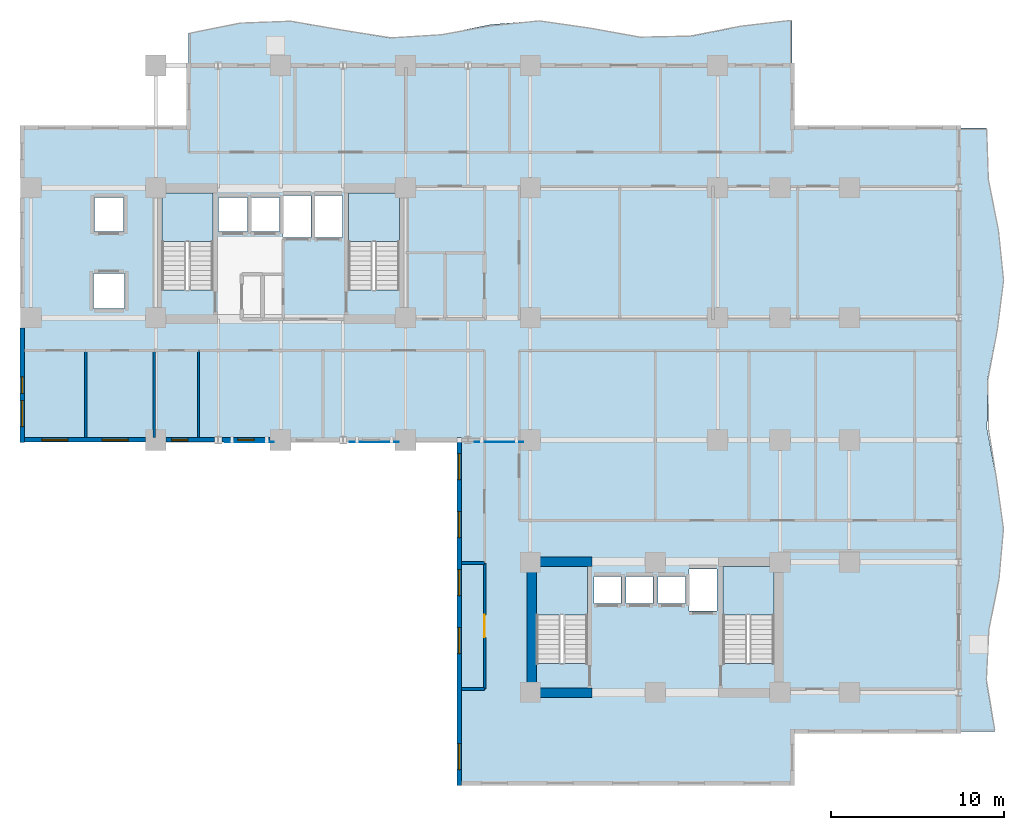
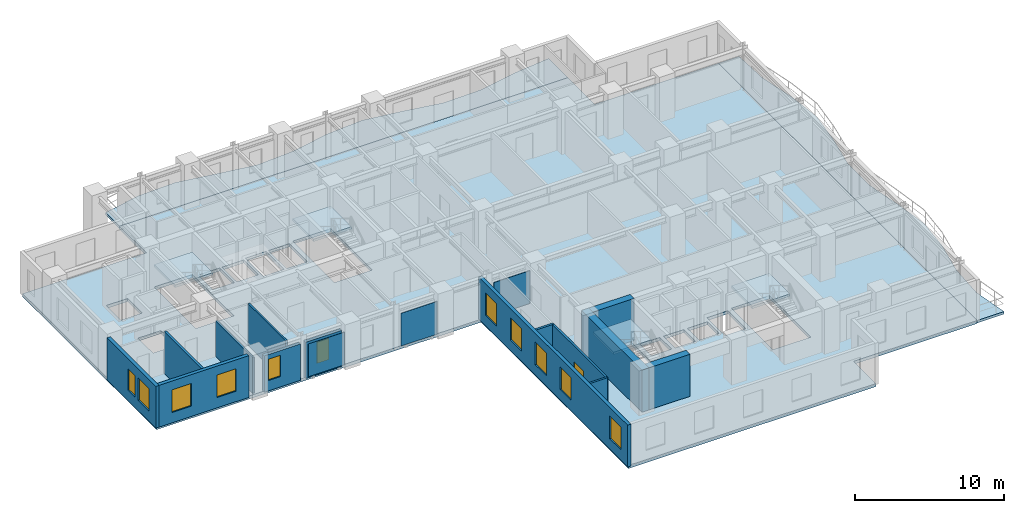
# One storey, part 2 of 11: 14 walls, 11 windows, 7 slabs, 3 plates, 1 door, 12 openings, 4 elements without a shape of their own.
"""IFC4 building model written with IfcOpenShell, lengths in metres."""

import ifcopenshell
import ifcopenshell.guid

model = None  # the IFC model being written
_history = None  # IfcOwnerHistory: only IFC2X3 demands one
_inside = {}  # id of a spatial element -> (the spatial element, [elements in it])
_under = {}  # id of a project, library or spatial element -> (it, [spatial elements below it])
_declared = {}  # id of a project -> (the project, [libraries it declares])
_typed = {}  # id of a type object -> (the type object, [elements of that type])
_made_of = {}  # id of a material, layer set ... -> (it, [elements and type objects made of it])


def new_model(schema):
    """Start an empty IFC model of exactly this schema.

    Asked for "IFC4X3", IfcOpenShell would pick the latest addendum, in which some entities
    have other attributes; the version numbers below select the first issue.
    IFC2X3 requires an IfcOwnerHistory on every rooted entity: one is made here for all.
    """
    global model, _history
    if schema == "IFC4X3":
        model = ifcopenshell.file(schema_version=(4, 3, 0, 0))
    else:
        model = ifcopenshell.file(schema=schema)
    _inside.clear()
    _under.clear()
    _declared.clear()
    _typed.clear()
    _made_of.clear()
    _history = None
    if model.schema == "IFC2X3":
        org = make("IfcOrganization", Name="unknown")
        user = make(
            "IfcPersonAndOrganization",
            ThePerson=make("IfcPerson", FamilyName="unknown"),
            TheOrganization=org,
        )
        app = make(
            "IfcApplication",
            ApplicationDeveloper=org,
            Version="unknown",
            ApplicationFullName="unknown",
            ApplicationIdentifier="unknown",
        )
        _history = make(
            "IfcOwnerHistory",
            OwningUser=user,
            OwningApplication=app,
            ChangeAction="ADDED",
            CreationDate=0,
        )
    return model


def make(cls, **values):
    """One entity of the class cls with the attributes given. An attribute that is None is left unset."""
    return model.create_entity(
        cls, **{name: value for name, value in values.items() if value is not None}
    )


def rooted(cls, **values):
    """An entity with a GlobalId (a new one), such as an element, a storey or a relation."""
    return make(cls, GlobalId=ifcopenshell.guid.new(), OwnerHistory=_history, **values)


def si_unit(unit_type, name, prefix=None):
    """IfcSIUnit, for example si_unit("LENGTHUNIT", "METRE", prefix="MILLI")."""
    return make("IfcSIUnit", UnitType=unit_type, Prefix=prefix, Name=name)


def assignment(units):
    """IfcUnitAssignment: the units of a project."""
    return None if units is None else make("IfcUnitAssignment", Units=units)


def point(xyz):
    """IfcCartesianPoint."""
    return None if xyz is None else make("IfcCartesianPoint", Coordinates=xyz)


def direction(xyz):
    """IfcDirection."""
    return None if xyz is None else make("IfcDirection", DirectionRatios=xyz)


def frame(location, z_axis=None, x_axis=None):
    """IfcAxis2Placement3D, a coordinate frame: its origin and axes. An axis left out is left unset."""
    return make(
        "IfcAxis2Placement3D",
        Location=point(location),
        Axis=direction(z_axis),
        RefDirection=direction(x_axis),
    )


def frame_2d(location, x_axis=None):
    """IfcAxis2Placement2D, a coordinate frame in the plane: its origin and x axis."""
    return make(
        "IfcAxis2Placement2D", Location=point(location), RefDirection=direction(x_axis)
    )


def origin():
    """The frame at (0, 0, 0) with its axes left unset."""
    return frame((0.0, 0.0, 0.0))


def origin_2d():
    """The frame at (0, 0) in the plane with its x axis left unset."""
    return frame_2d((0.0, 0.0))


def place(relative_to, where):
    """IfcLocalPlacement: puts the frame where relative to a parent placement (None: the world)."""
    return make(
        "IfcLocalPlacement", PlacementRelTo=relative_to, RelativePlacement=where
    )


def context(
    kind, dimensions, precision=None, world=None, true_north=None, identifier=None
):
    """IfcGeometricRepresentationContext, for example the 3D "Model" context."""
    return make(
        "IfcGeometricRepresentationContext",
        ContextIdentifier=identifier,
        ContextType=kind,
        CoordinateSpaceDimension=dimensions,
        Precision=precision,
        WorldCoordinateSystem=world,
        TrueNorth=true_north,
    )


def subcontext(parent, identifier, kind, view, scale=None):
    """IfcGeometricRepresentationSubContext, for example "Body" below "Model"."""
    return make(
        "IfcGeometricRepresentationSubContext",
        ContextIdentifier=identifier,
        ContextType=kind,
        ParentContext=parent,
        TargetScale=scale,
        TargetView=view,
    )


def project(units=None, contexts=None):
    """IfcProject with its units and contexts."""
    return rooted(
        "IfcProject",
        Name="project",
        RepresentationContexts=contexts,
        UnitsInContext=assignment(units),
    )


def spatial(cls, under=None, at=None, **own):
    """A site, building, storey or space (cls), placed at a placement, below another one or the project."""
    s = rooted(cls, ObjectPlacement=at, **own)
    if under is not None:
        _under.setdefault(under.id(), (under, []))[1].append(s)
    return s


def polyline(points):
    """IfcPolyline through the points."""
    return make("IfcPolyline", Points=[point(p) for p in points])


def profile(cls, at=None, kind="AREA", **sizes):
    """A parametric profile (cls). Its sizes go by their IFC names, for example OverallWidth=200.0."""
    return make(cls, ProfileType=kind, Position=at, **sizes)


def rectangle(**sizes):
    """IfcRectangleProfileDef."""
    return profile("IfcRectangleProfileDef", **sizes)


def outline(outer, holes=None, kind="AREA"):
    """IfcArbitraryClosedProfileDef: a profile drawn as a closed curve; with holes, ...WithVoids."""
    if holes is None:
        return make("IfcArbitraryClosedProfileDef", ProfileType=kind, OuterCurve=outer)
    return make(
        "IfcArbitraryProfileDefWithVoids",
        ProfileType=kind,
        OuterCurve=outer,
        InnerCurves=holes,
    )


def extrude(swept, where, along, depth):
    """IfcExtrudedAreaSolid: the profile swept, set in the frame where, extruded along a direction by depth."""
    return make(
        "IfcExtrudedAreaSolid",
        SweptArea=swept,
        Position=where,
        ExtrudedDirection=direction(along),
        Depth=depth,
    )


def shape(context_of_items, identifier, shape_type, items):
    """IfcShapeRepresentation: the items that make up one representation, for example the "Body"."""
    return make(
        "IfcShapeRepresentation",
        ContextOfItems=context_of_items,
        RepresentationIdentifier=identifier,
        RepresentationType=shape_type,
        Items=items,
    )


def source(mapping_origin, context_of_items, identifier, shape_type, items):
    """IfcRepresentationMap: a shape defined once, which mapped items show again and again."""
    return make(
        "IfcRepresentationMap",
        MappingOrigin=mapping_origin,
        MappedRepresentation=shape(context_of_items, identifier, shape_type, items),
    )


def transform(
    local_origin,
    x_axis=None,
    y_axis=None,
    z_axis=None,
    scale=None,
    scale2=None,
    scale3=None,
    uniform=True,
):
    """IfcCartesianTransformationOperator3D, or its non-uniform kind. x_axis, y_axis, z_axis: its Axis1, 2, 3."""
    if uniform:
        return make(
            "IfcCartesianTransformationOperator3D",
            Axis1=direction(x_axis),
            Axis2=direction(y_axis),
            LocalOrigin=point(local_origin),
            Scale=scale,
            Axis3=direction(z_axis),
        )
    return make(
        "IfcCartesianTransformationOperator3DnonUniform",
        Axis1=direction(x_axis),
        Axis2=direction(y_axis),
        LocalOrigin=point(local_origin),
        Scale=scale,
        Axis3=direction(z_axis),
        Scale2=scale2,
        Scale3=scale3,
    )


def mapped(mapping_source, mapping_target):
    """IfcMappedItem: shows the shape of a source again, moved by a transform."""
    return make(
        "IfcMappedItem", MappingSource=mapping_source, MappingTarget=mapping_target
    )


def material(Name=None, Category=None):
    """IfcMaterial."""
    return make("IfcMaterial", Name=Name, Category=Category)


def layer(
    of_material, thickness, ventilated=None, Name=None, Category=None, Priority=None
):
    """IfcMaterialLayer: one layer of a wall or slab, of a material (None: an air gap)."""
    return make(
        "IfcMaterialLayer",
        Material=of_material,
        LayerThickness=thickness,
        IsVentilated=ventilated,
        Name=Name,
        Category=Category,
        Priority=Priority,
    )


def layer_set(layers, Name=None):
    """IfcMaterialLayerSet."""
    return make("IfcMaterialLayerSet", MaterialLayers=layers, LayerSetName=Name)


def made_of(thing, what):
    """Note that an element or type object is made of a material, layer set ...; save() writes the relation."""
    if what is not None:
        _made_of.setdefault(what.id(), (what, []))[1].append(thing)
    return thing


def type_object(cls, material=None, **own):
    """A type object (cls), such as IfcWallType, which elements share."""
    return made_of(rooted(cls, **own), material)


def element(
    cls,
    number,
    at=None,
    inside=None,
    cuts=None,
    type_object=None,
    material=None,
    context=None,
    identifier="Body",
    shape_type=None,
    held_by="IfcProductDefinitionShape",
    body=None,
    shapes=None,
    **own,
):
    """One element of the class cls, such as IfcWall. Its Tag is "e" and its number.

    at: its placement. inside: the storey or other place that contains it. cuts: it is an
    opening in that element (IfcRelVoidsElement). A single representation is given by context,
    identifier, shape_type and body (its items); several are given by shapes. held_by: the class
    of the entity that holds the representations. save() writes the other relations.
    """
    e = rooted(cls, Tag="e%d" % number, ObjectPlacement=at, **own)
    if body is not None:
        shapes = [shape(context, identifier, shape_type, body)]
    if shapes is not None:
        e.Representation = make(held_by, Representations=shapes)
    if inside is not None:
        _inside.setdefault(inside.id(), (inside, []))[1].append(e)
    if cuts is not None:
        rooted(
            "IfcRelVoidsElement", RelatingBuildingElement=cuts, RelatedOpeningElement=e
        )
    if type_object is not None:
        _typed.setdefault(type_object.id(), (type_object, []))[1].append(e)
    return made_of(e, material)


def fill(opening, filler):
    """IfcRelFillsElement: the door or window that sits in an opening."""
    return rooted(
        "IfcRelFillsElement",
        RelatingOpeningElement=opening,
        RelatedBuildingElement=filler,
    )


def aggregate(whole, parts):
    """IfcRelAggregates: a whole, such as a stair, and the parts it consists of."""
    return rooted("IfcRelAggregates", RelatingObject=whole, RelatedObjects=parts)


def save(model, path):
    """Write the relations noted so far, then the file.

    IfcRelAggregates (storeys below a building ...), IfcRelContainedInSpatialStructure (elements
    in a storey), IfcRelDefinesByType, IfcRelAssociatesMaterial and IfcRelDeclares: one each for
    every whole, place, type object, material and project.
    """
    for whole, parts in _under.values():
        aggregate(whole, parts)
    for where, things in _inside.values():
        rooted(
            "IfcRelContainedInSpatialStructure",
            RelatedElements=things,
            RelatingStructure=where,
        )
    for kind, things in _typed.values():
        rooted("IfcRelDefinesByType", RelatedObjects=things, RelatingType=kind)
    for what, things in _made_of.values():
        rooted("IfcRelAssociatesMaterial", RelatedObjects=things, RelatingMaterial=what)
    for by, libraries in _declared.values():
        rooted("IfcRelDeclares", RelatingContext=by, RelatedDefinitions=libraries)
    model.write(path)


model = new_model("IFC4")

# Units and contexts
model_context = context("Model", 3, precision=1e-05, world=origin(), true_north=direction((0.0, 1.0)))
body_context = subcontext(model_context, "Body", "Model", "MODEL_VIEW")
ifc_project = project(units=[si_unit("LENGTHUNIT", "METRE"), si_unit("AREAUNIT", "SQUARE_METRE"), si_unit("VOLUMEUNIT", "CUBIC_METRE"), si_unit("PLANEANGLEUNIT", "RADIAN"), si_unit("MASSUNIT", "GRAM", prefix="KILO")], contexts=[model_context])

# Site, building, storey
site_placement = place(None, origin())
site = spatial("IfcSite", under=ifc_project, at=site_placement, CompositionType="ELEMENT")
building_placement = place(site_placement, origin())
building = spatial("IfcBuilding", under=site, at=building_placement, Name="Kaliganga Portal Commons", CompositionType="ELEMENT")
storey_placement = place(building_placement, frame((0.0, 0.0, 111.89990234375)))
storey = spatial("IfcBuildingStorey", under=building, at=storey_placement, Name="L28", CompositionType="ELEMENT", Elevation=111.89990234375)

# Slabs
ifc_material_1 = material(Name="Concrete C40/50", Category="concrete")
ifc_layer_1 = layer(ifc_material_1, 0.2099609375)
ifc_layer_set_1 = layer_set([ifc_layer_1], Name="Concrete C40/50")
slab_type_1 = type_object("IfcSlabType", Name="SLB-BALC-210", PredefinedType="FLOOR", material=ifc_layer_set_1)
slab_1_placement = place(storey_placement, frame((0.0, 0.0, -0.2099609375)))
element("IfcSlab", 1, at=slab_1_placement, inside=storey, type_object=slab_type_1, Name="Scalloped Tree-Planter Balcony Slab L28 balc_north", PredefinedType="FLOOR", context=body_context, shape_type="SweptSolid", body=[
    extrude(outline(polyline([(51.10009765625, 43.199951171875), (51.10009765625, 45.800048828125), (48.199951171875, 45.462890625), (45.300048828125, 44.890380859375), (42.39990234375, 44.82861328125), (39.5, 45.35791015625), (36.60009765625, 45.788818359375), (33.699951171875, 45.559814453125), (30.800048828125, 44.969482421875), (27.89990234375, 44.786865234375), (25.0, 45.249755859375), (22.10009765625, 45.755126953125), (19.199951171875, 45.64453125), (16.300048828125, 45.06201171875), (16.300048828125, 43.199951171875), (51.10009765625, 43.199951171875)])), origin(), (0.0, 0.0, 1.0), 0.2099609375),
])
slab_2_placement = place(storey_placement, frame((0.0, 0.0, -0.2099609375)))
element("IfcSlab", 2, at=slab_2_placement, inside=storey, type_object=slab_type_1, Name="Scalloped Tree-Planter Balcony Slab L28 balc_east", PredefinedType="FLOOR", context=body_context, shape_type="SweptSolid", body=[
    extrude(outline(polyline([(60.699951171875, 4.800048828125), (62.782470703125, 4.800048828125), (62.297119140625, 7.699951171875), (62.444091796875, 10.60009765625), (63.03173828125, 13.5), (63.29443359375, 16.39990234375), (62.889892578125, 19.300048828125), (62.34521484375, 22.199951171875), (62.3701171875, 25.10009765625), (62.931884765625, 28.0), (63.299072265625, 30.89990234375), (62.992919921875, 33.800048828125), (62.41259765625, 36.699951171875), (62.31396484375, 39.60009765625), (60.699951171875, 39.60009765625), (60.699951171875, 4.800048828125)])), origin(), (0.0, 0.0, 1.0), 0.2099609375),
])

# Stair, slab
stair_type = type_object("IfcStairType", Name="ST-CORE-DOGLEG", PredefinedType="HALF_TURN_STAIR", material=ifc_material_1)
stair_1_placement = place(storey_placement, origin())
stair_1 = element("IfcStair", 3, at=stair_1_placement, inside=storey, type_object=stair_type, Name="L28 Protected Exit Stair ST-A1", PredefinedType="HALF_TURN_STAIR")
ifc_layer_2 = layer(ifc_material_1, 0.199951171875)
ifc_layer_set_2 = layer_set([ifc_layer_2], Name="Concrete C40/50")
slab_type_2 = type_object("IfcSlabType", Name="SLB-STAIR-LND", PredefinedType="LANDING", material=ifc_layer_set_2)
slab_3_placement = place(storey_placement, frame((0.0, 0.0, 1.650146484375)))
slab_3 = element("IfcSlab", 4, at=slab_3_placement, type_object=slab_type_2, Name="ST-A1 landing 1", PredefinedType="LANDING", context=body_context, shape_type="SweptSolid", body=[
    extrude(outline(polyline([(17.699951171875, 33.050048828125), (17.699951171875, 35.85009765625), (14.75, 35.85009765625), (14.75, 33.050048828125), (17.699951171875, 33.050048828125)])), origin(), (0.0, 0.0, 1.0), 0.199951171875),
])
aggregate(stair_1, [slab_3])

stair_2_placement = place(storey_placement, origin())
stair_2 = element("IfcStair", 5, at=stair_2_placement, inside=storey, type_object=stair_type, Name="L28 Protected Exit Stair ST-A2", PredefinedType="HALF_TURN_STAIR")
slab_4_placement = place(storey_placement, frame((0.0, 0.0, 1.650146484375)))
slab_4 = element("IfcSlab", 6, at=slab_4_placement, type_object=slab_type_2, Name="ST-A2 landing 1", PredefinedType="LANDING", context=body_context, shape_type="SweptSolid", body=[
    extrude(outline(polyline([(28.449951171875, 33.050048828125), (28.449951171875, 35.85009765625), (25.5, 35.85009765625), (25.5, 33.050048828125), (28.449951171875, 33.050048828125)])), origin(), (0.0, 0.0, 1.0), 0.199951171875),
])
aggregate(stair_2, [slab_4])

stair_3_placement = place(storey_placement, origin())
stair_3 = element("IfcStair", 7, at=stair_3_placement, inside=storey, type_object=stair_type, Name="L28 Protected Exit Stair ST-B1", PredefinedType="HALF_TURN_STAIR")
slab_5_placement = place(storey_placement, frame((0.0, 0.0, 1.650146484375)))
slab_5 = element("IfcSlab", 8, at=slab_5_placement, type_object=slab_type_2, Name="ST-B1 landing 1", PredefinedType="LANDING", context=body_context, shape_type="SweptSolid", body=[
    extrude(outline(polyline([(39.300048828125, 11.5), (39.300048828125, 14.300048828125), (36.35009765625, 14.300048828125), (36.35009765625, 11.5), (39.300048828125, 11.5)])), origin(), (0.0, 0.0, 1.0), 0.199951171875),
])
aggregate(stair_3, [slab_5])

stair_4_placement = place(storey_placement, origin())
stair_4 = element("IfcStair", 9, at=stair_4_placement, inside=storey, type_object=stair_type, Name="L28 Protected Exit Stair ST-B2", PredefinedType="HALF_TURN_STAIR")
slab_6_placement = place(storey_placement, frame((0.0, 0.0, 1.650146484375)))
slab_6 = element("IfcSlab", 10, at=slab_6_placement, type_object=slab_type_2, Name="ST-B2 landing 1", PredefinedType="LANDING", context=body_context, shape_type="SweptSolid", body=[
    extrude(outline(polyline([(50.050048828125, 11.5), (50.050048828125, 14.300048828125), (47.10009765625, 14.300048828125), (47.10009765625, 11.5), (50.050048828125, 11.5)])), origin(), (0.0, 0.0, 1.0), 0.199951171875),
])
aggregate(stair_4, [slab_6])

# Slab
ifc_layer_3 = layer(ifc_material_1, 0.25)
ifc_layer_set_3 = layer_set([ifc_layer_3], Name="Concrete C40/50")
slab_type_3 = type_object("IfcSlabType", Name="SLB-TWR-250", PredefinedType="FLOOR", material=ifc_layer_set_3)
slab_7_placement = place(storey_placement, frame((0.0, 0.0, -0.25)))
element("IfcSlab", 11, at=slab_7_placement, inside=storey, type_object=slab_type_3, Name="Structural Floor Slab L28", PredefinedType="FLOOR", context=body_context, shape_type="SweptSolid", body=[
    extrude(outline(polyline([(31.89990234375, 1.800048828125), (51.10009765625, 1.800048828125), (51.10009765625, 4.800048828125), (60.699951171875, 4.800048828125), (60.699951171875, 39.60009765625), (51.10009765625, 39.60009765625), (51.10009765625, 43.199951171875), (16.300048828125, 43.199951171875), (16.300048828125, 39.60009765625), (6.699951171875, 39.60009765625), (6.699951171875, 21.60009765625), (31.89990234375, 21.60009765625), (31.89990234375, 1.800048828125)]), holes=[polyline([(14.75, 30.25390625), (14.75, 35.85009765625), (17.699951171875, 35.85009765625), (17.699951171875, 30.25390625), (14.75, 30.25390625)]), polyline([(25.5, 30.25390625), (25.5, 35.85009765625), (28.449951171875, 35.85009765625), (28.449951171875, 30.25390625), (25.5, 30.25390625)]), polyline([(36.35009765625, 8.7041015625), (36.35009765625, 14.300048828125), (39.300048828125, 14.300048828125), (39.300048828125, 8.7041015625), (36.35009765625, 8.7041015625)]), polyline([(47.10009765625, 8.7041015625), (47.10009765625, 14.300048828125), (50.050048828125, 14.300048828125), (50.050048828125, 8.7041015625), (47.10009765625, 8.7041015625)]), polyline([(18.014892578125, 33.614990234375), (18.014892578125, 35.5849609375), (19.68505859375, 35.5849609375), (19.68505859375, 33.614990234375), (18.014892578125, 33.614990234375)]), polyline([(19.864990234375, 33.614990234375), (19.864990234375, 35.5849609375), (21.534912109375, 35.5849609375), (21.534912109375, 33.614990234375), (19.864990234375, 33.614990234375)]), polyline([(10.81494140625, 29.18994140625), (10.81494140625, 31.2099609375), (12.5849609375, 31.2099609375), (12.5849609375, 29.18994140625), (10.81494140625, 29.18994140625)]), polyline([(10.864990234375, 33.614990234375), (10.864990234375, 35.5849609375), (12.534912109375, 35.5849609375), (12.534912109375, 33.614990234375), (10.864990234375, 33.614990234375)]), polyline([(21.739990234375, 33.2900390625), (21.739990234375, 35.7099609375), (23.360107421875, 35.7099609375), (23.360107421875, 33.2900390625), (21.739990234375, 33.2900390625)]), polyline([(23.5400390625, 33.2900390625), (23.5400390625, 35.7099609375), (25.159912109375, 35.7099609375), (25.159912109375, 33.2900390625), (23.5400390625, 33.2900390625)]), polyline([(39.6650390625, 12.1650390625), (39.6650390625, 13.735107421875), (41.235107421875, 13.735107421875), (41.235107421875, 12.1650390625), (39.6650390625, 12.1650390625)]), polyline([(41.514892578125, 12.1650390625), (41.514892578125, 13.735107421875), (43.0849609375, 13.735107421875), (43.0849609375, 12.1650390625), (41.514892578125, 12.1650390625)]), polyline([(43.364990234375, 12.1650390625), (43.364990234375, 13.735107421875), (44.93505859375, 13.735107421875), (44.93505859375, 12.1650390625), (43.364990234375, 12.1650390625)]), polyline([(45.139892578125, 11.739990234375), (45.139892578125, 14.159912109375), (46.760009765625, 14.159912109375), (46.760009765625, 11.739990234375), (45.139892578125, 11.739990234375)])]), origin(), (0.0, 0.0, 1.0), 0.25),
])

# Plates
ifc_material_2 = material(Name="Perforated Terracotta Monsoon Baguette Screen", Category="masonry")
ifc_layer_4 = layer(ifc_material_2, 0.034912109375)
ifc_layer_set_4 = layer_set([ifc_layer_4], Name="Perforated Terracotta Monsoon Baguette Screen")
plate_type = type_object("IfcPlateType", Name="PLT-CER-35", PredefinedType="USERDEFINED", material=ifc_layer_set_4)
shared_shape = source(origin(), body_context, "Body", "SweptSolid", [
    extrude(rectangle(XDim=2.800048828125, YDim=0.034912109375, at=origin_2d()), origin(), (0.0, 0.0, 1.0), 2.68994140625),
])
for number, where, z_axis, x_axis, name in (
    (12, (19.800048828125, 21.47998046875, 0.080078125), (0.0, 0.0, 1.0), (1.0, 0.0, 0.0), "Perforated Solar Screen L28-S1"),
    (13, (27.0, 21.47998046875, 0.080078125), (0.0, 0.0, 1.0), (1.0, 0.0, 0.0), "Perforated Solar Screen L28-S2"),
    (14, (34.199951171875, 21.47998046875, 0.080078125), (0.0, 0.0, 1.0), (1.0, 0.0, 0.0), "Perforated Solar Screen L28-S3"),
):
    element("IfcPlate", number, at=place(storey_placement, frame(where, z_axis=z_axis, x_axis=x_axis)), inside=storey, type_object=plate_type, Name=name, ObjectType="SOLAR SCREEN", PredefinedType="USERDEFINED", context=body_context, shape_type="MappedRepresentation", body=[
        mapped(shared_shape, transform((0.0, 0.0, 0.0), x_axis=(1.0, 0.0, 0.0), y_axis=(0.0, 1.0, 0.0), z_axis=(0.0, 0.0, 1.0), scale=1.0)),
    ])

# Walls
ifc_material_3 = material(Name="Concrete C60/75", Category="concrete")
ifc_layer_5 = layer(ifc_material_3, 0.550048828125)
ifc_layer_set_5 = layer_set([ifc_layer_5], Name="Concrete C60/75")
wall_type_1 = type_object("IfcWallType", Name="WL-CORE-550", PredefinedType="SHEAR", material=ifc_layer_set_5)
wall_1_placement = place(storey_placement, frame((36.074951171875, 6.75, 0.0), z_axis=(0.0, 0.0, 1.0), x_axis=(0.0, 1.0, 0.0)))
element("IfcWall", 15, at=wall_1_placement, inside=storey, type_object=wall_type_1, Name="Core B West Shear Wall L28", PredefinedType="SHEAR", context=body_context, shape_type="SweptSolid", body=[
    extrude(rectangle(XDim=8.10009765625, YDim=0.550048828125, at=frame_2d((4.050048828125, 0.0))), origin(), (0.0, 0.0, 1.0), 3.4501953125),
])
for number, where, z_axis, x_axis, name in (
    (16, (36.35009765625, 7.02490234375, 0.0), (0.0, 0.0, 1.0), (1.0, 0.0, 0.0), "Core B S-West Shear Wall L28"),
    (17, (36.35009765625, 14.574951171875, 0.0), (0.0, 0.0, 1.0), (1.0, 0.0, 0.0), "Core B N-West Shear Wall L28"),
):
    element("IfcWall", number, at=place(storey_placement, frame(where, z_axis=z_axis, x_axis=x_axis)), inside=storey, type_object=wall_type_1, Name=name, PredefinedType="SHEAR", context=body_context, shape_type="SweptSolid", body=[
        extrude(rectangle(XDim=3.199951171875, YDim=0.550048828125, at=frame_2d((1.60009765625, 0.0))), origin(), (0.0, 0.0, 1.0), 3.4501953125),
    ])

# Wall, openings, windows
ifc_material_4 = material(Name="Insulated Aluminium-Clad Spandrel Assembly", Category="aluminium")
ifc_layer_6 = layer(ifc_material_4, 0.260009765625)
ifc_layer_set_6 = layer_set([ifc_layer_6], Name="Insulated Aluminium-Clad Spandrel Assembly")
wall_type_2 = type_object("IfcWallType", Name="WL-EXT-SPAND-260", PredefinedType="STANDARD", material=ifc_layer_set_6)
wall_2_placement = place(storey_placement, frame((6.699951171875, 21.469970703125, 0.0), z_axis=(0.0, 0.0, 1.0), x_axis=(0.0, 1.0, 0.0)))
wall_2 = element("IfcWall", 18, at=wall_2_placement, inside=storey, type_object=wall_type_2, Name="Exterior Envelope Wall L28 P1-E09-S3", PredefinedType="STANDARD", context=body_context, shape_type="SweptSolid", body=[
    extrude(rectangle(XDim=6.5791015625, YDim=0.260009765625, at=frame_2d((3.28955078125, 0.0))), origin(), (0.0, 0.0, 1.0), 3.43017578125),
])
opening_1_placement = place(wall_2_placement, frame((0.894775390625, 0.0, 0.85009765625)))
opening_1 = element("IfcOpeningElement", 19, at=opening_1_placement, cuts=wall_2, Name="Opening W-02", PredefinedType="OPENING", context=body_context, shape_type="SweptSolid", body=[
    extrude(rectangle(XDim=1.5, YDim=1.85009765625, at=frame_2d((0.75, 0.925048828125))), frame((0.0, 0.14013671875, 0.0), z_axis=(0.0, -1.0, 0.0), x_axis=(1.0, 0.0, 0.0)), (0.0, 0.0, 1.0), 0.280029296875),
])
opening_2_placement = place(wall_2_placement, frame((2.814453125, 0.0, 0.85009765625)))
opening_2 = element("IfcOpeningElement", 20, at=opening_2_placement, cuts=wall_2, Name="Opening W-04", PredefinedType="OPENING", context=body_context, shape_type="SweptSolid", body=[
    extrude(rectangle(XDim=0.949951171875, YDim=1.75, at=frame_2d((0.47509765625, 0.875))), frame((0.0, 0.14013671875, 0.0), z_axis=(0.0, -1.0, 0.0), x_axis=(1.0, 0.0, 0.0)), (0.0, 0.0, 1.0), 0.280029296875),
])
ifc_material_5 = material(Name="Thermally Broken Aluminium and Low-E Double Glazing", Category="aluminium")
window_type_1 = type_object("IfcWindowType", Name="WIN-NARROW-950", PartitioningType="SINGLE_PANEL", PredefinedType="WINDOW", material=ifc_material_5)
window_1_placement = place(opening_2_placement, origin())
window_1 = element("IfcWindow", 21, at=window_1_placement, inside=storey, type_object=window_type_1, Name="Facade Window L28-P1E09S3-N0", OverallHeight=1.75, OverallWidth=0.949951171875, PartitioningType="SINGLE_PANEL", PredefinedType="WINDOW", context=body_context, shape_type="SweptSolid", body=[
    extrude(rectangle(XDim=0.949951171875, YDim=1.75, at=frame_2d((0.47509765625, 0.875))), frame((0.0, 0.030029296875, 0.0), z_axis=(0.0, -1.0, 0.0), x_axis=(1.0, 0.0, 0.0)), (0.0, 0.0, 1.0), 0.06005859375),
])
fill(opening_2, window_1)
window_type_2 = type_object("IfcWindowType", Name="WIN-STD-1500", PartitioningType="DOUBLE_PANEL_VERTICAL", PredefinedType="WINDOW", material=ifc_material_5)
window_2_placement = place(opening_1_placement, origin())
window_2 = element("IfcWindow", 22, at=window_2_placement, inside=storey, type_object=window_type_2, Name="Facade Window L28-P1E09S3-00", OverallHeight=1.85009765625, OverallWidth=1.5, PartitioningType="SINGLE_PANEL", PredefinedType="WINDOW", context=body_context, shape_type="SweptSolid", body=[
    extrude(rectangle(XDim=1.5, YDim=1.85009765625, at=frame_2d((0.75, 0.925048828125))), frame((0.0, 0.030029296875, 0.0), z_axis=(0.0, -1.0, 0.0), x_axis=(1.0, 0.0, 0.0)), (0.0, 0.0, 1.0), 0.06005859375),
])
fill(opening_1, window_2)

wall_3_placement = place(storey_placement, frame((13.799072265625, 21.60009765625, 0.0), z_axis=(0.0, 0.0, 1.0), x_axis=(-1.0, 0.0, 0.0)))
wall_3 = element("IfcWall", 23, at=wall_3_placement, inside=storey, type_object=wall_type_2, Name="Exterior Envelope Wall L28 P1-E10-S1", PredefinedType="STANDARD", context=body_context, shape_type="SweptSolid", body=[
    extrude(rectangle(XDim=6.964111328125, YDim=0.260009765625, at=frame_2d((3.48193359375, 0.0))), origin(), (0.0, 0.0, 1.0), 3.43017578125),
])
opening_3_placement = place(wall_3_placement, frame((0.990966796875, 0.0, 0.85009765625)))
opening_3 = element("IfcOpeningElement", 24, at=opening_3_placement, cuts=wall_3, Name="Opening W-02", PredefinedType="OPENING", context=body_context, shape_type="SweptSolid", body=[
    extrude(rectangle(XDim=1.5, YDim=1.85009765625, at=frame_2d((0.75, 0.925048828125))), frame((0.0, 0.14013671875, 0.0), z_axis=(0.0, -1.0, 0.0), x_axis=(1.0, 0.0, 0.0)), (0.0, 0.0, 1.0), 0.280029296875),
])
opening_4_placement = place(wall_3_placement, frame((4.472900390625, 0.0, 0.85009765625)))
opening_4 = element("IfcOpeningElement", 25, at=opening_4_placement, cuts=wall_3, Name="Opening W-02", PredefinedType="OPENING", context=body_context, shape_type="SweptSolid", body=[
    extrude(rectangle(XDim=1.5, YDim=1.85009765625, at=frame_2d((0.75, 0.925048828125))), frame((0.0, 0.14013671875, 0.0), z_axis=(0.0, -1.0, 0.0), x_axis=(1.0, 0.0, 0.0)), (0.0, 0.0, 1.0), 0.280029296875),
])
window_3_placement = place(opening_3_placement, origin())
window_3 = element("IfcWindow", 26, at=window_3_placement, inside=storey, type_object=window_type_2, Name="Facade Window L28-P1E10S1-00", OverallHeight=1.85009765625, OverallWidth=1.5, PartitioningType="SINGLE_PANEL", PredefinedType="WINDOW", context=body_context, shape_type="SweptSolid", body=[
    extrude(rectangle(XDim=1.5, YDim=1.85009765625, at=frame_2d((0.75, 0.925048828125))), frame((0.0, 0.030029296875, 0.0), z_axis=(0.0, -1.0, 0.0), x_axis=(1.0, 0.0, 0.0)), (0.0, 0.0, 1.0), 0.06005859375),
])
fill(opening_3, window_3)
window_4_placement = place(opening_4_placement, origin())
window_4 = element("IfcWindow", 27, at=window_4_placement, inside=storey, type_object=window_type_2, Name="Facade Window L28-P1E10S1-01", OverallHeight=1.85009765625, OverallWidth=1.5, PartitioningType="SINGLE_PANEL", PredefinedType="WINDOW", context=body_context, shape_type="SweptSolid", body=[
    extrude(rectangle(XDim=1.5, YDim=1.85009765625, at=frame_2d((0.75, 0.925048828125))), frame((0.0, 0.030029296875, 0.0), z_axis=(0.0, -1.0, 0.0), x_axis=(1.0, 0.0, 0.0)), (0.0, 0.0, 1.0), 0.06005859375),
])
fill(opening_4, window_4)

# Wall, opening, window
wall_4_placement = place(storey_placement, frame((17.79443359375, 21.60009765625, 0.0), z_axis=(0.0, 0.0, 1.0), x_axis=(-1.0, 0.0, 0.0)))
wall_4 = element("IfcWall", 28, at=wall_4_placement, inside=storey, type_object=wall_type_2, Name="Exterior Envelope Wall L28 P1-E10-S2", PredefinedType="STANDARD", context=body_context, shape_type="SweptSolid", body=[
    extrude(rectangle(XDim=2.79345703125, YDim=0.260009765625, at=frame_2d((1.396728515625, 0.0))), origin(), (0.0, 0.0, 1.0), 2.97998046875),
])
opening_5_placement = place(wall_4_placement, frame((1.536376953125, 0.0, 0.85009765625)))
opening_5 = element("IfcOpeningElement", 29, at=opening_5_placement, cuts=wall_4, Name="Opening W-04", PredefinedType="OPENING", context=body_context, shape_type="SweptSolid", body=[
    extrude(rectangle(XDim=0.949951171875, YDim=1.75, at=frame_2d((0.47509765625, 0.875))), frame((0.0, 0.14013671875, 0.0), z_axis=(0.0, -1.0, 0.0), x_axis=(1.0, 0.0, 0.0)), (0.0, 0.0, 1.0), 0.280029296875),
])
window_5_placement = place(opening_5_placement, origin())
window_5 = element("IfcWindow", 30, at=window_5_placement, inside=storey, type_object=window_type_1, Name="Facade Window L28-P1E10S2-N4", OverallHeight=1.75, OverallWidth=0.949951171875, PartitioningType="SINGLE_PANEL", PredefinedType="WINDOW", context=body_context, shape_type="SweptSolid", body=[
    extrude(rectangle(XDim=0.949951171875, YDim=1.75, at=frame_2d((0.47509765625, 0.875))), frame((0.0, 0.030029296875, 0.0), z_axis=(0.0, -1.0, 0.0), x_axis=(1.0, 0.0, 0.0)), (0.0, 0.0, 1.0), 0.06005859375),
])
fill(opening_5, window_5)

wall_5_placement = place(storey_placement, frame((20.9990234375, 21.60009765625, 0.0), z_axis=(0.0, 0.0, 1.0), x_axis=(-1.0, 0.0, 0.0)))
wall_5 = element("IfcWall", 31, at=wall_5_placement, inside=storey, type_object=wall_type_2, Name="Exterior Envelope Wall L28 P1-E10-S3", PredefinedType="STANDARD", context=body_context, shape_type="SweptSolid", body=[
    extrude(rectangle(XDim=2.79345703125, YDim=0.260009765625, at=frame_2d((1.396728515625, 0.0))), origin(), (0.0, 0.0, 1.0), 2.97998046875),
])
opening_6_placement = place(wall_5_placement, frame((0.921630859375, 0.0, 0.85009765625)))
opening_6 = element("IfcOpeningElement", 32, at=opening_6_placement, cuts=wall_5, Name="Opening W-04", PredefinedType="OPENING", context=body_context, shape_type="SweptSolid", body=[
    extrude(rectangle(XDim=0.949951171875, YDim=1.75, at=frame_2d((0.47509765625, 0.875))), frame((0.0, 0.14013671875, 0.0), z_axis=(0.0, -1.0, 0.0), x_axis=(1.0, 0.0, 0.0)), (0.0, 0.0, 1.0), 0.280029296875),
])
window_6_placement = place(opening_6_placement, origin())
window_6 = element("IfcWindow", 33, at=window_6_placement, inside=storey, type_object=window_type_1, Name="Facade Window L28-P1E10S3-00", OverallHeight=1.75, OverallWidth=0.949951171875, PartitioningType="SINGLE_PANEL", PredefinedType="WINDOW", context=body_context, shape_type="SweptSolid", body=[
    extrude(rectangle(XDim=0.949951171875, YDim=1.75, at=frame_2d((0.47509765625, 0.875))), frame((0.0, 0.030029296875, 0.0), z_axis=(0.0, -1.0, 0.0), x_axis=(1.0, 0.0, 0.0)), (0.0, 0.0, 1.0), 0.06005859375),
])
fill(opening_6, window_6)

# Wall, openings, windows
wall_6_placement = place(storey_placement, frame((31.89990234375, 1.669921875, 0.0), z_axis=(0.0, 0.0, 1.0), x_axis=(0.0, 1.0, 0.0)))
wall_6 = element("IfcWall", 34, at=wall_6_placement, inside=storey, type_object=wall_type_2, Name="Exterior Envelope Wall L28 P1-E11-S1", PredefinedType="STANDARD", context=body_context, shape_type="SweptSolid", body=[
    extrude(rectangle(XDim=20.06005859375, YDim=0.260009765625, at=frame_2d((10.030029296875, 0.0))), origin(), (0.0, 0.0, 1.0), 3.43017578125),
])
opening_7_placement = place(wall_6_placement, frame((0.921630859375, 0.0, 0.85009765625)))
opening_7 = element("IfcOpeningElement", 35, at=opening_7_placement, cuts=wall_6, Name="Opening W-02", PredefinedType="OPENING", context=body_context, shape_type="SweptSolid", body=[
    extrude(rectangle(XDim=1.5, YDim=1.85009765625, at=frame_2d((0.75, 0.925048828125))), frame((0.0, 0.14013671875, 0.0), z_axis=(0.0, -1.0, 0.0), x_axis=(1.0, 0.0, 0.0)), (0.0, 0.0, 1.0), 0.280029296875),
])
opening_8_placement = place(wall_6_placement, frame((7.6083984375, 0.0, 0.85009765625)))
opening_8 = element("IfcOpeningElement", 36, at=opening_8_placement, cuts=wall_6, Name="Opening W-02", PredefinedType="OPENING", context=body_context, shape_type="SweptSolid", body=[
    extrude(rectangle(XDim=1.5, YDim=1.85009765625, at=frame_2d((0.75, 0.925048828125))), frame((0.0, 0.14013671875, 0.0), z_axis=(0.0, -1.0, 0.0), x_axis=(1.0, 0.0, 0.0)), (0.0, 0.0, 1.0), 0.280029296875),
])
opening_9_placement = place(wall_6_placement, frame((10.95166015625, 0.0, 0.85009765625)))
opening_9 = element("IfcOpeningElement", 37, at=opening_9_placement, cuts=wall_6, Name="Opening W-02", PredefinedType="OPENING", context=body_context, shape_type="SweptSolid", body=[
    extrude(rectangle(XDim=1.5, YDim=1.85009765625, at=frame_2d((0.75, 0.925048828125))), frame((0.0, 0.14013671875, 0.0), z_axis=(0.0, -1.0, 0.0), x_axis=(1.0, 0.0, 0.0)), (0.0, 0.0, 1.0), 0.280029296875),
])
opening_10_placement = place(wall_6_placement, frame((14.294921875, 0.0, 0.85009765625)))
opening_10 = element("IfcOpeningElement", 38, at=opening_10_placement, cuts=wall_6, Name="Opening W-02", PredefinedType="OPENING", context=body_context, shape_type="SweptSolid", body=[
    extrude(rectangle(XDim=1.5, YDim=1.85009765625, at=frame_2d((0.75, 0.925048828125))), frame((0.0, 0.14013671875, 0.0), z_axis=(0.0, -1.0, 0.0), x_axis=(1.0, 0.0, 0.0)), (0.0, 0.0, 1.0), 0.280029296875),
])
opening_11_placement = place(wall_6_placement, frame((17.63818359375, 0.0, 0.85009765625)))
opening_11 = element("IfcOpeningElement", 39, at=opening_11_placement, cuts=wall_6, Name="Opening W-02", PredefinedType="OPENING", context=body_context, shape_type="SweptSolid", body=[
    extrude(rectangle(XDim=1.5, YDim=1.85009765625, at=frame_2d((0.75, 0.925048828125))), frame((0.0, 0.14013671875, 0.0), z_axis=(0.0, -1.0, 0.0), x_axis=(1.0, 0.0, 0.0)), (0.0, 0.0, 1.0), 0.280029296875),
])
window_7_placement = place(opening_7_placement, origin())
window_7 = element("IfcWindow", 40, at=window_7_placement, inside=storey, type_object=window_type_2, Name="Facade Window L28-P1E11S1-00", OverallHeight=1.85009765625, OverallWidth=1.5, PartitioningType="SINGLE_PANEL", PredefinedType="WINDOW", context=body_context, shape_type="SweptSolid", body=[
    extrude(rectangle(XDim=1.5, YDim=1.85009765625, at=frame_2d((0.75, 0.925048828125))), frame((0.0, 0.030029296875, 0.0), z_axis=(0.0, -1.0, 0.0), x_axis=(1.0, 0.0, 0.0)), (0.0, 0.0, 1.0), 0.06005859375),
])
fill(opening_7, window_7)
window_8_placement = place(opening_8_placement, origin())
window_8 = element("IfcWindow", 41, at=window_8_placement, inside=storey, type_object=window_type_2, Name="Facade Window L28-P1E11S1-02", OverallHeight=1.85009765625, OverallWidth=1.5, PartitioningType="SINGLE_PANEL", PredefinedType="WINDOW", context=body_context, shape_type="SweptSolid", body=[
    extrude(rectangle(XDim=1.5, YDim=1.85009765625, at=frame_2d((0.75, 0.925048828125))), frame((0.0, 0.030029296875, 0.0), z_axis=(0.0, -1.0, 0.0), x_axis=(1.0, 0.0, 0.0)), (0.0, 0.0, 1.0), 0.06005859375),
])
fill(opening_8, window_8)
window_9_placement = place(opening_9_placement, origin())
window_9 = element("IfcWindow", 42, at=window_9_placement, inside=storey, type_object=window_type_2, Name="Facade Window L28-P1E11S1-03", OverallHeight=1.85009765625, OverallWidth=1.5, PartitioningType="SINGLE_PANEL", PredefinedType="WINDOW", context=body_context, shape_type="SweptSolid", body=[
    extrude(rectangle(XDim=1.5, YDim=1.85009765625, at=frame_2d((0.75, 0.925048828125))), frame((0.0, 0.030029296875, 0.0), z_axis=(0.0, -1.0, 0.0), x_axis=(1.0, 0.0, 0.0)), (0.0, 0.0, 1.0), 0.06005859375),
])
fill(opening_9, window_9)
window_10_placement = place(opening_10_placement, origin())
window_10 = element("IfcWindow", 43, at=window_10_placement, inside=storey, type_object=window_type_2, Name="Facade Window L28-P1E11S1-04", OverallHeight=1.85009765625, OverallWidth=1.5, PartitioningType="SINGLE_PANEL", PredefinedType="WINDOW", context=body_context, shape_type="SweptSolid", body=[
    extrude(rectangle(XDim=1.5, YDim=1.85009765625, at=frame_2d((0.75, 0.925048828125))), frame((0.0, 0.030029296875, 0.0), z_axis=(0.0, -1.0, 0.0), x_axis=(1.0, 0.0, 0.0)), (0.0, 0.0, 1.0), 0.06005859375),
])
fill(opening_10, window_10)
window_11_placement = place(opening_11_placement, origin())
window_11 = element("IfcWindow", 44, at=window_11_placement, inside=storey, type_object=window_type_2, Name="Facade Window L28-P1E11S1-05", OverallHeight=1.85009765625, OverallWidth=1.5, PartitioningType="SINGLE_PANEL", PredefinedType="WINDOW", context=body_context, shape_type="SweptSolid", body=[
    extrude(rectangle(XDim=1.5, YDim=1.85009765625, at=frame_2d((0.75, 0.925048828125))), frame((0.0, 0.030029296875, 0.0), z_axis=(0.0, -1.0, 0.0), x_axis=(1.0, 0.0, 0.0)), (0.0, 0.0, 1.0), 0.06005859375),
])
fill(opening_11, window_11)

# Wall, opening, door
ifc_material_6 = material(Name="Fire-Rated Gypsum Board on Steel Stud", Category="steel")
ifc_layer_7 = layer(ifc_material_6, 0.14990234375)
ifc_layer_set_7 = layer_set([ifc_layer_7], Name="Fire-Rated Gypsum Board on Steel Stud")
wall_type_3 = type_object("IfcWallType", Name="WL-PART-CORR-150", PredefinedType="PARTITIONING", material=ifc_layer_set_7)
wall_7_placement = place(storey_placement, frame((33.360107421875, 7.239990234375, 0.0), z_axis=(0.0, 0.0, 1.0), x_axis=(0.0, 1.0, 0.0)))
wall_7 = element("IfcWall", 45, at=wall_7_placement, inside=storey, type_object=wall_type_3, Name="Interior Partition L28-011", PredefinedType="PARTITIONING", context=body_context, shape_type="SweptSolid", body=[
    extrude(rectangle(XDim=7.260009765625, YDim=0.14990234375, at=frame_2d((3.6298828125, 0.0))), origin(), (0.0, 0.0, 1.0), 3.43017578125),
])
opening_12_placement = place(wall_7_placement, frame((2.97998046875, 0.0, 0.0)))
opening_12 = element("IfcOpeningElement", 46, at=opening_12_placement, cuts=wall_7, Name="Opening RD-03", PredefinedType="OPENING", context=body_context, shape_type="SweptSolid", body=[
    extrude(rectangle(XDim=1.300048828125, YDim=2.1201171875, at=frame_2d((0.64990234375, 1.06005859375))), frame((0.0, 0.0849609375, 0.0), z_axis=(0.0, -1.0, 0.0), x_axis=(1.0, 0.0, 0.0)), (0.0, 0.0, 1.0), 0.169921875),
])
ifc_material_7 = material(Name="Glazed Timber Seminar Vision Door", Category="wood")
door_type = type_object("IfcDoorType", Name="DR-STUDY-1300", OperationType="DOUBLE_DOOR_SINGLE_SWING", PredefinedType="DOOR", material=ifc_material_7)
door_placement = place(opening_12_placement, origin())
door = element("IfcDoor", 47, at=door_placement, inside=storey, type_object=door_type, Name="Interior Door L28-KW01", OperationType="DOUBLE_DOOR_SINGLE_SWING", OverallHeight=2.1201171875, OverallWidth=1.300048828125, PredefinedType="DOOR", context=body_context, shape_type="SweptSolid", body=[
    extrude(rectangle(XDim=1.300048828125, YDim=2.1201171875, at=frame_2d((0.64990234375, 1.06005859375))), frame((0.0, 0.02490234375, 0.0), z_axis=(0.0, -1.0, 0.0), x_axis=(1.0, 0.0, 0.0)), (0.0, 0.0, 1.0), 0.050048828125),
])
fill(opening_12, door)

# Walls
wall_8_placement = place(storey_placement, frame((32.031982421875, 7.239990234375, 0.0), z_axis=(0.0, 0.0, 1.0), x_axis=(1.0, 0.0, 0.0)))
element("IfcWall", 48, at=wall_8_placement, inside=storey, type_object=wall_type_3, Name="Interior Partition L28-038", PredefinedType="PARTITIONING", context=body_context, shape_type="SweptSolid", body=[
    extrude(rectangle(XDim=1.328125, YDim=0.14990234375, at=frame_2d((0.6640625, 0.0))), origin(), (0.0, 0.0, 1.0), 3.43017578125),
])
ifc_material_8 = material(Name="Twin-Stud Acoustic Gypsum Partition", Category="gypsum")
ifc_layer_8 = layer(ifc_material_8, 0.1650390625)
ifc_layer_set_8 = layer_set([ifc_layer_8], Name="Twin-Stud Acoustic Gypsum Partition")
wall_type_4 = type_object("IfcWallType", Name="WL-PART-UNIT-165", PredefinedType="PARTITIONING", material=ifc_layer_set_8)
wall_9_placement = place(storey_placement, frame((10.360107421875, 21.73193359375, 0.0), z_axis=(0.0, 0.0, 1.0), x_axis=(0.0, 1.0, 0.0)))
element("IfcWall", 49, at=wall_9_placement, inside=storey, type_object=wall_type_4, Name="Interior Partition L28-057", PredefinedType="PARTITIONING", context=body_context, shape_type="SweptSolid", body=[
    extrude(rectangle(XDim=5.028076171875, YDim=0.1650390625, at=frame_2d((2.51416015625, 0.0))), origin(), (0.0, 0.0, 1.0), 3.43017578125),
])
wall_10_placement = place(storey_placement, frame((32.031982421875, 14.5, 0.0), z_axis=(0.0, 0.0, 1.0), x_axis=(1.0, 0.0, 0.0)))
element("IfcWall", 50, at=wall_10_placement, inside=storey, type_object=wall_type_4, Name="Interior Partition L28-078", PredefinedType="PARTITIONING", context=body_context, shape_type="SweptSolid", body=[
    extrude(rectangle(XDim=1.328125, YDim=0.1650390625, at=frame_2d((0.6640625, 0.0))), origin(), (0.0, 0.0, 1.0), 3.43017578125),
])
ifc_material_9 = material(Name="Cement-Board Wet-Room Partition", Category="gypsum")
ifc_layer_9 = layer(ifc_material_9, 0.135009765625)
ifc_layer_set_9 = layer_set([ifc_layer_9], Name="Cement-Board Wet-Room Partition")
wall_type_5 = type_object("IfcWallType", Name="WL-PART-WET-135", PredefinedType="PARTITIONING", material=ifc_layer_set_9)
wall_11_placement = place(storey_placement, frame((14.320068359375, 21.73193359375, 0.0), z_axis=(0.0, 0.0, 1.0), x_axis=(0.0, 1.0, 0.0)))
element("IfcWall", 51, at=wall_11_placement, inside=storey, type_object=wall_type_5, Name="Interior Partition L28-058", PredefinedType="PARTITIONING", context=body_context, shape_type="SweptSolid", body=[
    extrude(rectangle(XDim=5.028076171875, YDim=0.135009765625, at=frame_2d((2.51416015625, 0.0))), origin(), (0.0, 0.0, 1.0), 2.93017578125),
])
wall_12_placement = place(storey_placement, frame((16.860107421875, 21.73193359375, 0.0), z_axis=(0.0, 0.0, 1.0), x_axis=(0.0, 1.0, 0.0)))
element("IfcWall", 52, at=wall_12_placement, inside=storey, type_object=wall_type_5, Name="Interior Partition L28-059", PredefinedType="PARTITIONING", context=body_context, shape_type="SweptSolid", body=[
    extrude(rectangle(XDim=5.028076171875, YDim=0.135009765625, at=frame_2d((2.51416015625, 0.0))), origin(), (0.0, 0.0, 1.0), 3.43017578125),
])

save(model, "model.ifc")
